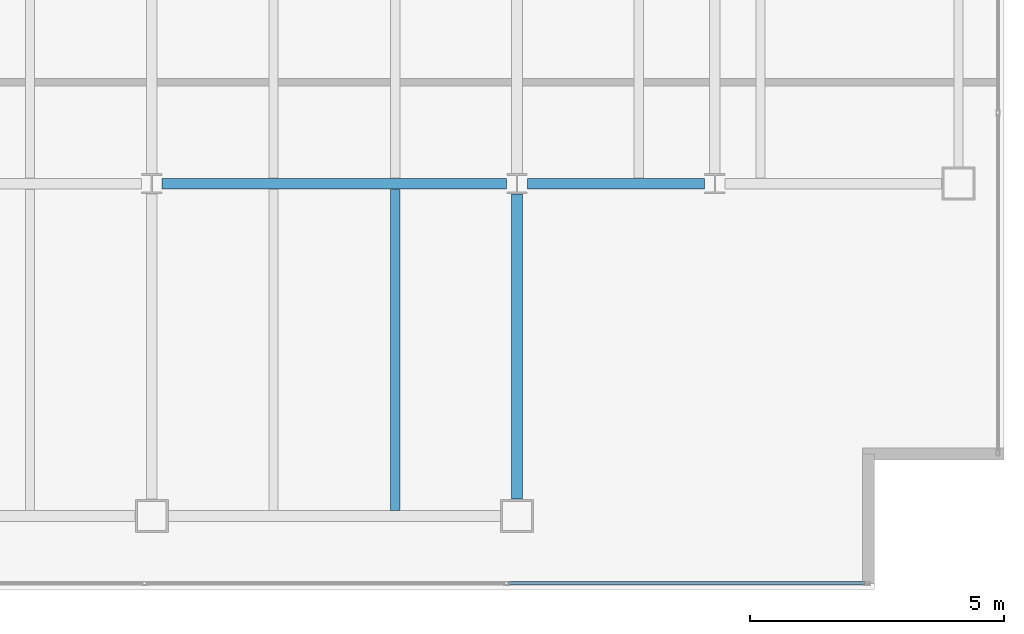
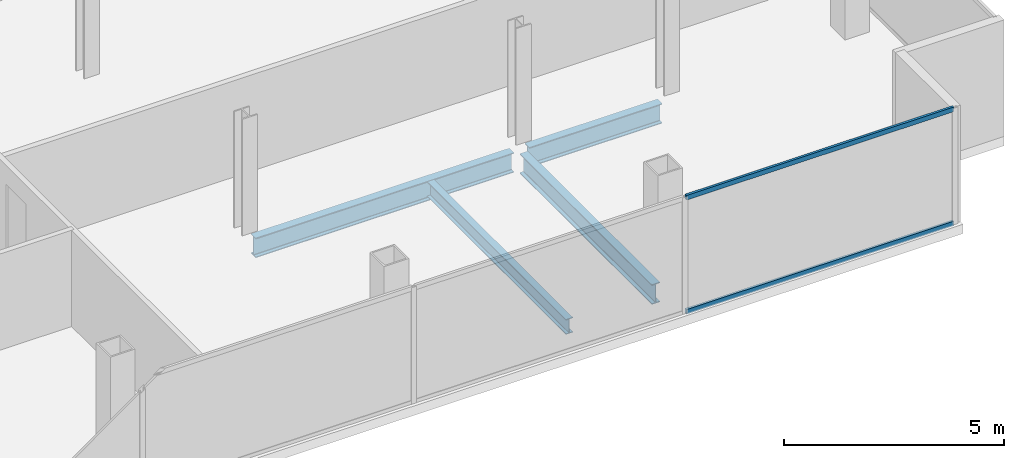
# One storey, part 13 of 23: 4 beams, 2 members, 1 element without a shape of its own.
"""IFC4 building model written with IfcOpenShell, lengths in metres."""

from ifc_helpers import new_model, si_unit, direction, frame, origin, origin_2d, place, context, subcontext, project, spatial, hollow_rectangle, i_section, extrude, material, material_profile, profile_set, type_object, element, aggregate, save


model = new_model("IFC4")

# Units and contexts
model_context = context("Model", 3, precision=1e-05, world=origin(), true_north=direction((0.0, 1.0)))
body_context = subcontext(model_context, "Body", "Model", "MODEL_VIEW")
ifc_project = project(units=[si_unit("LENGTHUNIT", "METRE"), si_unit("AREAUNIT", "SQUARE_METRE"), si_unit("VOLUMEUNIT", "CUBIC_METRE"), si_unit("PLANEANGLEUNIT", "RADIAN"), si_unit("MASSUNIT", "GRAM", prefix="KILO")], contexts=[model_context])

# Site, building, storey
site_placement = place(None, origin())
site = spatial("IfcSite", under=ifc_project, at=site_placement, CompositionType="ELEMENT")
building_placement = place(site_placement, origin())
building = spatial("IfcBuilding", under=site, at=building_placement, Name="Cobrela Telecom Tower", CompositionType="ELEMENT")
storey_placement = place(building_placement, frame((0.0, 0.0, 255.14990234375)))
storey = spatial("IfcBuildingStorey", under=building, at=storey_placement, Name="L66", CompositionType="ELEMENT", Elevation=255.14990234375)

# Beams
ifc_material_1 = material(Name="Steel ASTM A992 Grade 50", Category="steel")
ifc_material_profile_1 = material_profile(ifc_material_1, i_section(OverallWidth=0.212890625, OverallDepth=0.549072265625, WebThickness=0.0146484375, FlangeThickness=0.023681640625, FilletRadius=0.013916015625, at=origin_2d()), Name="W21X93")
ifc_profile_set_1 = profile_set([ifc_material_profile_1], Name="Steel ASTM A992 Grade 50")
beam_type_1 = type_object("IfcBeamType", Name="BM-GIRD-08", PredefinedType="USERDEFINED", material=ifc_profile_set_1)
beam_1_placement = place(storey_placement, frame((29.00439453125, 14.39990234375, -0.534423828125), z_axis=(1.0, 0.0, 0.0), x_axis=(0.0, 1.0, 0.0)))
element("IfcBeam", 1, at=beam_1_placement, inside=storey, type_object=beam_type_1, Name="L66 Primary Girder X07", ObjectType="GIRDER", PredefinedType="USERDEFINED", context=body_context, shape_type="SweptSolid", body=[
    extrude(i_section(OverallWidth=0.212890625, OverallDepth=0.549072265625, WebThickness=0.0146484375, FlangeThickness=0.023681640625, FilletRadius=0.013916015625, at=origin_2d()), origin(), (0.0, 0.0, 1.0), 6.791015625),
])
beam_2_placement = place(storey_placement, frame((36.20458984375, 14.39990234375, -0.534423828125), z_axis=(1.0, 0.0, 0.0), x_axis=(0.0, 1.0, 0.0)))
element("IfcBeam", 2, at=beam_2_placement, inside=storey, type_object=beam_type_1, Name="L66 Primary Girder X08", ObjectType="GIRDER", PredefinedType="USERDEFINED", context=body_context, shape_type="SweptSolid", body=[
    extrude(i_section(OverallWidth=0.212890625, OverallDepth=0.549072265625, WebThickness=0.0146484375, FlangeThickness=0.023681640625, FilletRadius=0.013916015625, at=origin_2d()), origin(), (0.0, 0.0, 1.0), 3.490966796875),
])
beam_3_placement = place(storey_placement, frame((36.0, 8.179931640625, -0.534423828125), z_axis=(0.0, 1.0, 0.0), x_axis=(-1.0, 0.0, 0.0)))
element("IfcBeam", 3, at=beam_3_placement, inside=storey, type_object=beam_type_1, Name="L66 Primary Girder Y31", ObjectType="GIRDER", PredefinedType="USERDEFINED", context=body_context, shape_type="SweptSolid", body=[
    extrude(i_section(OverallWidth=0.212890625, OverallDepth=0.549072265625, WebThickness=0.0146484375, FlangeThickness=0.023681640625, FilletRadius=0.013916015625, at=origin_2d()), origin(), (0.0, 0.0, 1.0), 6.015625),
])
ifc_material_profile_2 = material_profile(ifc_material_1, i_section(OverallWidth=0.179931640625, OverallDepth=0.4169921875, WebThickness=0.010986328125, FlangeThickness=0.01806640625, FilletRadius=0.011962890625, at=origin_2d()), Name="W16X57")
ifc_profile_set_2 = profile_set([ifc_material_profile_2], Name="Steel ASTM A992 Grade 50")
beam_type_2 = type_object("IfcBeamType", Name="BM-JOIST-04", PredefinedType="JOIST", material=ifc_profile_set_2)
beam_4_placement = place(storey_placement, frame((33.60009765625, 7.96142578125, -0.468505859375), z_axis=(0.0, 1.0, 0.0), x_axis=(-1.0, 0.0, 0.0)))
element("IfcBeam", 4, at=beam_4_placement, inside=storey, type_object=beam_type_2, Name="L66 Secondary Composite Floor Beam J13", PredefinedType="JOIST", context=body_context, shape_type="SweptSolid", body=[
    extrude(i_section(OverallWidth=0.179931640625, OverallDepth=0.4169921875, WebThickness=0.010986328125, FlangeThickness=0.01806640625, FilletRadius=0.011962890625, at=origin_2d()), origin(), (0.0, 0.0, 1.0), 6.3271484375),
])

# Curtain wall, members
ifc_material_2 = material(Name="Anodized Bronze Aluminium 6063-T6", Category="aluminium")
curtain_wall_type = type_object("IfcCurtainWallType", Name="CW-SYS-OFF-HI", PredefinedType="USERDEFINED", material=ifc_material_2)
curtain_wall_placement = place(storey_placement, origin())
curtain_wall = element("IfcCurtainWall", 5, at=curtain_wall_placement, inside=storey, type_object=curtain_wall_type, Name="L66 Unitised Bronze Curtain Wall 15", ObjectType="UNITISED CURTAIN WALL", PredefinedType="USERDEFINED")
ifc_material_profile_3 = material_profile(ifc_material_2, hollow_rectangle(XDim=0.06494140625, YDim=0.1298828125, WallThickness=0.00390625, at=origin_2d()), Name="ALU 65x130x4")
ifc_profile_set_3 = profile_set([ifc_material_profile_3], Name="Anodized Bronze Aluminium 6063-T6")
member_type = type_object("IfcMemberType", Name="CW-SYS-OFF-HI-TRN", PredefinedType="USERDEFINED", material=ifc_profile_set_3)
member_1_placement = place(storey_placement, frame((42.860107421875, 6.52001953125, 0.03271484375), z_axis=(-1.0, 0.0, 0.0), x_axis=(0.0, -1.0, 0.0)))
member_1 = element("IfcMember", 6, at=member_1_placement, type_object=member_type, Name="CW-OFF-HI transom 1.1", ObjectType="TRANSOM", PredefinedType="USERDEFINED", context=body_context, shape_type="SweptSolid", body=[
    extrude(hollow_rectangle(XDim=0.06494140625, YDim=0.1298828125, WallThickness=0.00390625, at=origin_2d()), origin(), (0.0, 0.0, 1.0), 7.030029296875),
])
member_2_placement = place(storey_placement, frame((42.860107421875, 6.52001953125, 3.20751953125), z_axis=(-1.0, 0.0, 0.0), x_axis=(0.0, -1.0, 0.0)))
member_2 = element("IfcMember", 7, at=member_2_placement, type_object=member_type, Name="CW-OFF-HI transom 1.2", ObjectType="TRANSOM", PredefinedType="USERDEFINED", context=body_context, shape_type="SweptSolid", body=[
    extrude(hollow_rectangle(XDim=0.06494140625, YDim=0.1298828125, WallThickness=0.00390625, at=origin_2d()), origin(), (0.0, 0.0, 1.0), 7.030029296875),
])
aggregate(curtain_wall, [member_1, member_2])

save(model, "model.ifc")
